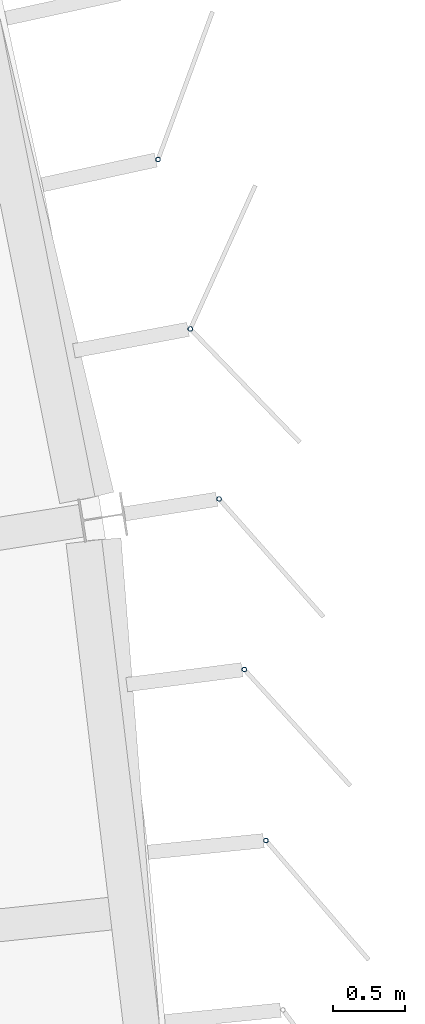
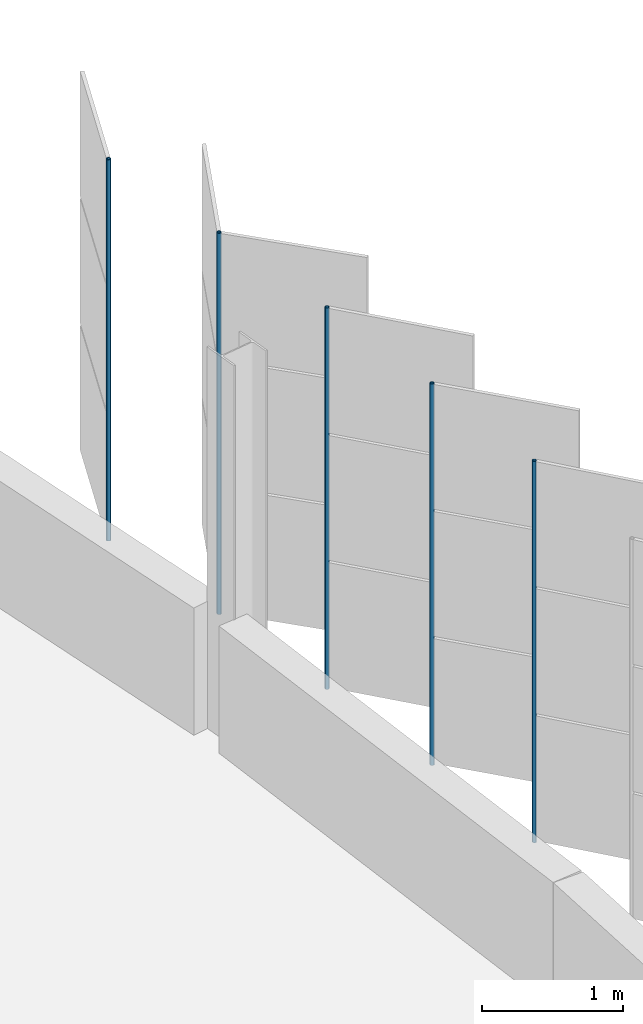
# One storey, part 122 of 199: 5 discrete accessories.
"""IFC4 building model written with IfcOpenShell, lengths in metres."""

from ifc_helpers import new_model, si_unit, direction, frame, origin, origin_2d, place, context, subcontext, project, spatial, hollow_circle, extrude, material, material_profile, profile_set, type_object, element, save


model = new_model("IFC4")

# Units and contexts
model_context = context("Model", 3, precision=1e-05, world=origin(), true_north=direction((0.0, 1.0)))
body_context = subcontext(model_context, "Body", "Model", "MODEL_VIEW")
ifc_project = project(units=[si_unit("LENGTHUNIT", "METRE"), si_unit("AREAUNIT", "SQUARE_METRE"), si_unit("VOLUMEUNIT", "CUBIC_METRE"), si_unit("PLANEANGLEUNIT", "RADIAN"), si_unit("MASSUNIT", "GRAM", prefix="KILO")], contexts=[model_context])

# Site, building, storey
site_placement = place(None, origin())
site = spatial("IfcSite", under=ifc_project, at=site_placement, CompositionType="ELEMENT")
building_placement = place(site_placement, origin())
building = spatial("IfcBuilding", under=site, at=building_placement, Name="Parallax Yard Mobility Hub", CompositionType="ELEMENT")
storey_placement = place(building_placement, frame((0.0, 0.0, 9.89990234375)))
storey = spatial("IfcBuildingStorey", under=building, at=storey_placement, Name="L03", CompositionType="ELEMENT", Elevation=9.89990234375)

# Discrete accessories
ifc_material = material(Name="Steel ASTM A500 Gr C, hot-dip galvanised", Category="steel")
ifc_material_profile = material_profile(ifc_material, hollow_circle(Radius=0.016845703125, WallThickness=0.003173828125, at=origin_2d()), Name="CHS 33.7x3.2")
ifc_profile_set = profile_set([ifc_material_profile], Name="Steel ASTM A500 Gr C, hot-dip galvanised")
discrete_accessory_type = type_object("IfcDiscreteAccessoryType", Name="Hinge post CHS 33.7x3.2", PredefinedType="BRACKET", material=ifc_profile_set)
for number, where, z_axis, x_axis, name in (
    (1, (225.48779296875, 95.964599609375, 0.0), (0.0, 0.0, 1.0), (1.0, 0.0, 0.0), "Hinge post bay 41.6 level L03"),
    (2, (225.33740234375, 97.154296875, 0.0), (0.0, 0.0, 1.0), (1.0, 0.0, 0.0), "Hinge post bay 41.7 level L03"),
    (3, (225.162109375, 98.3408203125, 0.0), (0.0, 0.0, 1.0), (1.0, 0.0, 0.0), "Hinge post bay 42.1 level L03"),
    (4, (224.9619140625, 99.523681640625, 0.0), (0.0, 0.0, 1.0), (1.0, 0.0, 0.0), "Hinge post bay 42.2 level L03"),
    (5, (224.7373046875, 100.7021484375, 0.0), (0.0, 0.0, 1.0), (1.0, 0.0, 0.0), "Hinge post bay 42.3 level L03"),
):
    element("IfcDiscreteAccessory", number, at=place(storey_placement, frame(where, z_axis=z_axis, x_axis=x_axis)), inside=storey, type_object=discrete_accessory_type, Name=name, PredefinedType="BRACKET", context=body_context, shape_type="SweptSolid", body=[
        extrude(hollow_circle(Radius=0.016845703125, WallThickness=0.003173828125, at=origin_2d()), origin(), (0.0, 0.0, 1.0), 3.300048828125),
    ])

save(model, "model.ifc")
